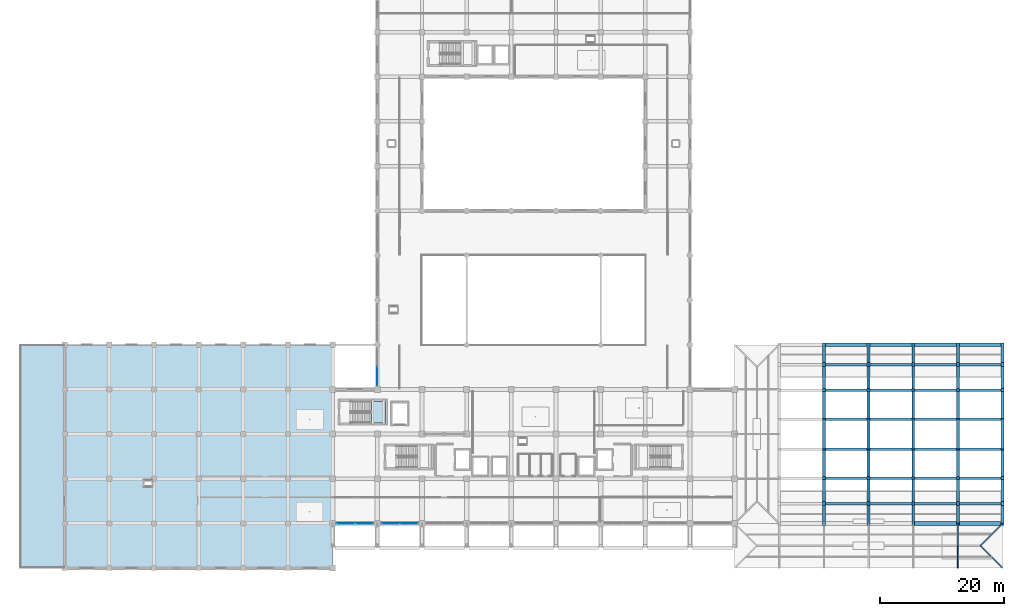
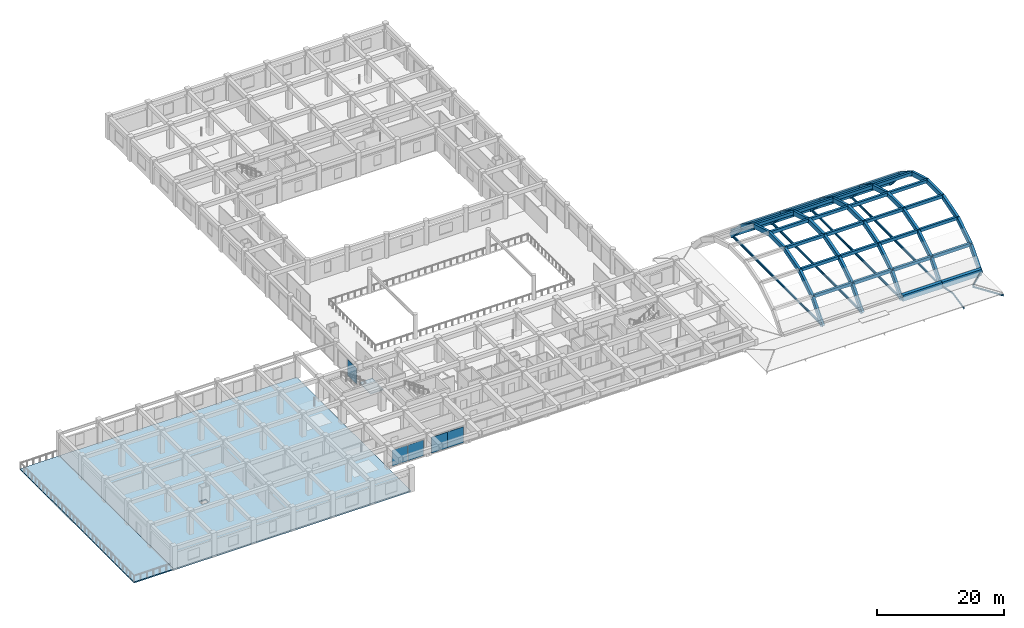
# One storey, part 29 of 54: 69 beams, 5 plates, 4 members, 3 slabs, 4 elements without a shape of their own.
"""IFC4 building model written with IfcOpenShell, lengths in metres."""

from ifc_helpers import new_model, si_unit, direction, frame, origin, origin_2d, place, context, subcontext, project, spatial, polyline, rectangle, i_section, outline, extrude, material, layer, layer_set, material_profile, profile_set, type_object, element, aggregate, save


model = new_model("IFC4")

# Units and contexts
model_context = context("Model", 3, precision=1e-05, world=origin(), true_north=direction((0.0, 1.0)))
body_context = subcontext(model_context, "Body", "Model", "MODEL_VIEW")
ifc_project = project(units=[si_unit("LENGTHUNIT", "METRE"), si_unit("AREAUNIT", "SQUARE_METRE"), si_unit("VOLUMEUNIT", "CUBIC_METRE"), si_unit("PLANEANGLEUNIT", "RADIAN"), si_unit("MASSUNIT", "GRAM", prefix="KILO")], contexts=[model_context])

# Site, building, storey
site_placement = place(None, origin())
site = spatial("IfcSite", under=ifc_project, at=site_placement, CompositionType="ELEMENT")
building_placement = place(site_placement, origin())
building = spatial("IfcBuilding", under=site, at=building_placement, Name="Kazehaya Institute of Natural Sciences", CompositionType="ELEMENT")
storey_placement = place(building_placement, frame((0.0, 0.0, 10.43994140625)))
storey = spatial("IfcBuildingStorey", under=building, at=storey_placement, Name="L02", CompositionType="ELEMENT", Elevation=10.43994140625)

# Beams
ifc_material_1 = material(Name="Concrete Fc36", Category="concrete")
ifc_material_profile_1 = material_profile(ifc_material_1, rectangle(XDim=0.449951171875, YDim=0.85009765625, at=origin_2d()), Name="RC-450x850")
ifc_profile_set_1 = profile_set([ifc_material_profile_1], Name="Concrete Fc36")
beam_type_1 = type_object("IfcBeamType", Name="BM-AR-450x850", PredefinedType="BEAM", material=ifc_profile_set_1)
beam_1_placement = place(storey_placement, frame((133.800048828125, 14.0, -0.429931640625), z_axis=(0.0, 0.659222645841, 0.751947806175), x_axis=(-1.0, 0.0, 0.0)))
element("IfcBeam", 1, at=beam_1_placement, inside=storey, type_object=beam_type_1, Name="SH-VOL1 transverse arch rib SH-VOL1-RIB-133-01", PredefinedType="BEAM", context=body_context, shape_type="SweptSolid", body=[
    extrude(rectangle(XDim=0.449951171875, YDim=0.85009765625, at=origin_2d()), origin(), (0.0, 0.0, 1.0), 4.8603515625),
])
for number, where, z_axis, x_axis, name in (
    (2, (133.800048828125, 17.2041015625, 3.224853515625), (0.0, 0.843309718495, 0.537427873014), (-1.0, 0.0, 0.0), "SH-VOL1 transverse arch rib SH-VOL1-RIB-133-03"),
    (3, (133.800048828125, 21.30322265625, 5.837158203125), (0.0, 0.960039368494, 0.279864986986), (-1.0, 0.0, 0.0), "SH-VOL1 transverse arch rib SH-VOL1-RIB-133-05"),
):
    element("IfcBeam", number, at=place(storey_placement, frame(where, z_axis=z_axis, x_axis=x_axis)), inside=storey, type_object=beam_type_1, Name=name, PredefinedType="BEAM", context=body_context, shape_type="SweptSolid", body=[
        extrude(rectangle(XDim=0.449951171875, YDim=0.85009765625, at=origin_2d()), origin(), (0.0, 0.0, 1.0), 4.86083984375),
    ])
for number, where, z_axis, x_axis, name in (
    (4, (133.800048828125, 25.9697265625, 7.197509765625), (0.0, 1.0, 0.0), (-1.0, 0.0, 0.0), "SH-VOL1 transverse arch rib SH-VOL1-RIB-133-07"),
    (5, (133.800048828125, 30.830322265625, 7.197509765625), (0.0, 0.960035434208, -0.279878482677), (-1.0, 0.0, 0.0), "SH-VOL1 transverse arch rib SH-VOL1-RIB-133-09"),
):
    element("IfcBeam", number, at=place(storey_placement, frame(where, z_axis=z_axis, x_axis=x_axis)), inside=storey, type_object=beam_type_1, Name=name, PredefinedType="BEAM", context=body_context, shape_type="SweptSolid", body=[
        extrude(rectangle(XDim=0.449951171875, YDim=0.85009765625, at=origin_2d()), origin(), (0.0, 0.0, 1.0), 4.860595703125),
    ])
beam_2_placement = place(storey_placement, frame((133.800048828125, 35.49658203125, 5.837158203125), z_axis=(0.0, 0.843309718495, -0.537427873014), x_axis=(-1.0, 0.0, 0.0)))
element("IfcBeam", 6, at=beam_2_placement, inside=storey, type_object=beam_type_1, Name="SH-VOL1 transverse arch rib SH-VOL1-RIB-133-11", PredefinedType="BEAM", context=body_context, shape_type="SweptSolid", body=[
    extrude(rectangle(XDim=0.449951171875, YDim=0.85009765625, at=origin_2d()), origin(), (0.0, 0.0, 1.0), 4.86083984375),
])
beam_3_placement = place(storey_placement, frame((133.800048828125, 39.595703125, 3.224853515625), z_axis=(0.0, 0.659251045931, -0.751922907245), x_axis=(-1.0, 0.0, 0.0)))
element("IfcBeam", 7, at=beam_3_placement, inside=storey, type_object=beam_type_1, Name="SH-VOL1 transverse arch rib SH-VOL1-RIB-133-13", PredefinedType="BEAM", context=body_context, shape_type="SweptSolid", body=[
    extrude(rectangle(XDim=0.449951171875, YDim=0.85009765625, at=origin_2d()), origin(), (0.0, 0.0, 1.0), 4.860595703125),
])
beam_4_placement = place(storey_placement, frame((141.0, 14.0, -0.429931640625), z_axis=(0.0, 0.659222645841, 0.751947806175), x_axis=(-1.0, 0.0, 0.0)))
element("IfcBeam", 8, at=beam_4_placement, inside=storey, type_object=beam_type_1, Name="SH-VOL1 transverse arch rib SH-VOL1-RIB-141-01", PredefinedType="BEAM", context=body_context, shape_type="SweptSolid", body=[
    extrude(rectangle(XDim=0.449951171875, YDim=0.85009765625, at=origin_2d()), origin(), (0.0, 0.0, 1.0), 4.8603515625),
])
for number, where, z_axis, x_axis, name in (
    (9, (141.0, 17.2041015625, 3.224853515625), (0.0, 0.843309718495, 0.537427873014), (-1.0, 0.0, 0.0), "SH-VOL1 transverse arch rib SH-VOL1-RIB-141-03"),
    (10, (141.0, 21.30322265625, 5.837158203125), (0.0, 0.960039368494, 0.279864986986), (-1.0, 0.0, 0.0), "SH-VOL1 transverse arch rib SH-VOL1-RIB-141-05"),
):
    element("IfcBeam", number, at=place(storey_placement, frame(where, z_axis=z_axis, x_axis=x_axis)), inside=storey, type_object=beam_type_1, Name=name, PredefinedType="BEAM", context=body_context, shape_type="SweptSolid", body=[
        extrude(rectangle(XDim=0.449951171875, YDim=0.85009765625, at=origin_2d()), origin(), (0.0, 0.0, 1.0), 4.86083984375),
    ])
for number, where, z_axis, x_axis, name in (
    (11, (141.0, 25.9697265625, 7.197509765625), (0.0, 1.0, 0.0), (-1.0, 0.0, 0.0), "SH-VOL1 transverse arch rib SH-VOL1-RIB-141-07"),
    (12, (141.0, 30.830322265625, 7.197509765625), (0.0, 0.960035434208, -0.279878482677), (-1.0, 0.0, 0.0), "SH-VOL1 transverse arch rib SH-VOL1-RIB-141-09"),
):
    element("IfcBeam", number, at=place(storey_placement, frame(where, z_axis=z_axis, x_axis=x_axis)), inside=storey, type_object=beam_type_1, Name=name, PredefinedType="BEAM", context=body_context, shape_type="SweptSolid", body=[
        extrude(rectangle(XDim=0.449951171875, YDim=0.85009765625, at=origin_2d()), origin(), (0.0, 0.0, 1.0), 4.860595703125),
    ])
beam_5_placement = place(storey_placement, frame((141.0, 35.49658203125, 5.837158203125), z_axis=(0.0, 0.843309718495, -0.537427873014), x_axis=(-1.0, 0.0, 0.0)))
element("IfcBeam", 13, at=beam_5_placement, inside=storey, type_object=beam_type_1, Name="SH-VOL1 transverse arch rib SH-VOL1-RIB-141-11", PredefinedType="BEAM", context=body_context, shape_type="SweptSolid", body=[
    extrude(rectangle(XDim=0.449951171875, YDim=0.85009765625, at=origin_2d()), origin(), (0.0, 0.0, 1.0), 4.86083984375),
])
beam_6_placement = place(storey_placement, frame((141.0, 39.595703125, 3.224853515625), z_axis=(0.0, 0.659251045931, -0.751922907245), x_axis=(-1.0, 0.0, 0.0)))
element("IfcBeam", 14, at=beam_6_placement, inside=storey, type_object=beam_type_1, Name="SH-VOL1 transverse arch rib SH-VOL1-RIB-141-13", PredefinedType="BEAM", context=body_context, shape_type="SweptSolid", body=[
    extrude(rectangle(XDim=0.449951171875, YDim=0.85009765625, at=origin_2d()), origin(), (0.0, 0.0, 1.0), 4.860595703125),
])
beam_7_placement = place(storey_placement, frame((148.199951171875, 14.0, -0.429931640625), z_axis=(0.0, 0.659222645841, 0.751947806175), x_axis=(-1.0, 0.0, 0.0)))
element("IfcBeam", 15, at=beam_7_placement, inside=storey, type_object=beam_type_1, Name="SH-VOL1 transverse arch rib SH-VOL1-RIB-148-01", PredefinedType="BEAM", context=body_context, shape_type="SweptSolid", body=[
    extrude(rectangle(XDim=0.449951171875, YDim=0.85009765625, at=origin_2d()), origin(), (0.0, 0.0, 1.0), 4.8603515625),
])
for number, where, z_axis, x_axis, name in (
    (16, (148.199951171875, 17.2041015625, 3.224853515625), (0.0, 0.843309718495, 0.537427873014), (-1.0, 0.0, 0.0), "SH-VOL1 transverse arch rib SH-VOL1-RIB-148-03"),
    (17, (148.199951171875, 21.30322265625, 5.837158203125), (0.0, 0.960039368494, 0.279864986986), (-1.0, 0.0, 0.0), "SH-VOL1 transverse arch rib SH-VOL1-RIB-148-05"),
):
    element("IfcBeam", number, at=place(storey_placement, frame(where, z_axis=z_axis, x_axis=x_axis)), inside=storey, type_object=beam_type_1, Name=name, PredefinedType="BEAM", context=body_context, shape_type="SweptSolid", body=[
        extrude(rectangle(XDim=0.449951171875, YDim=0.85009765625, at=origin_2d()), origin(), (0.0, 0.0, 1.0), 4.86083984375),
    ])
for number, where, z_axis, x_axis, name in (
    (18, (148.199951171875, 25.9697265625, 7.197509765625), (0.0, 1.0, 0.0), (-1.0, 0.0, 0.0), "SH-VOL1 transverse arch rib SH-VOL1-RIB-148-07"),
    (19, (148.199951171875, 30.830322265625, 7.197509765625), (0.0, 0.960035434208, -0.279878482677), (-1.0, 0.0, 0.0), "SH-VOL1 transverse arch rib SH-VOL1-RIB-148-09"),
):
    element("IfcBeam", number, at=place(storey_placement, frame(where, z_axis=z_axis, x_axis=x_axis)), inside=storey, type_object=beam_type_1, Name=name, PredefinedType="BEAM", context=body_context, shape_type="SweptSolid", body=[
        extrude(rectangle(XDim=0.449951171875, YDim=0.85009765625, at=origin_2d()), origin(), (0.0, 0.0, 1.0), 4.860595703125),
    ])
beam_8_placement = place(storey_placement, frame((148.199951171875, 35.49658203125, 5.837158203125), z_axis=(0.0, 0.843309718495, -0.537427873014), x_axis=(-1.0, 0.0, 0.0)))
element("IfcBeam", 20, at=beam_8_placement, inside=storey, type_object=beam_type_1, Name="SH-VOL1 transverse arch rib SH-VOL1-RIB-148-11", PredefinedType="BEAM", context=body_context, shape_type="SweptSolid", body=[
    extrude(rectangle(XDim=0.449951171875, YDim=0.85009765625, at=origin_2d()), origin(), (0.0, 0.0, 1.0), 4.86083984375),
])
beam_9_placement = place(storey_placement, frame((148.199951171875, 39.595703125, 3.224853515625), z_axis=(0.0, 0.659251045931, -0.751922907245), x_axis=(-1.0, 0.0, 0.0)))
element("IfcBeam", 21, at=beam_9_placement, inside=storey, type_object=beam_type_1, Name="SH-VOL1 transverse arch rib SH-VOL1-RIB-148-13", PredefinedType="BEAM", context=body_context, shape_type="SweptSolid", body=[
    extrude(rectangle(XDim=0.449951171875, YDim=0.85009765625, at=origin_2d()), origin(), (0.0, 0.0, 1.0), 4.860595703125),
])
beam_10_placement = place(storey_placement, frame((155.39990234375, 14.0, -0.429931640625), z_axis=(0.0, 0.659222645841, 0.751947806175), x_axis=(-1.0, 0.0, 0.0)))
element("IfcBeam", 22, at=beam_10_placement, inside=storey, type_object=beam_type_1, Name="SH-VOL1 transverse arch rib SH-VOL1-RIB-155-01", PredefinedType="BEAM", context=body_context, shape_type="SweptSolid", body=[
    extrude(rectangle(XDim=0.449951171875, YDim=0.85009765625, at=origin_2d()), origin(), (0.0, 0.0, 1.0), 4.8603515625),
])
for number, where, z_axis, x_axis, name in (
    (23, (155.39990234375, 17.2041015625, 3.224853515625), (0.0, 0.843309718495, 0.537427873014), (-1.0, 0.0, 0.0), "SH-VOL1 transverse arch rib SH-VOL1-RIB-155-03"),
    (24, (155.39990234375, 21.30322265625, 5.837158203125), (0.0, 0.960039368494, 0.279864986986), (-1.0, 0.0, 0.0), "SH-VOL1 transverse arch rib SH-VOL1-RIB-155-05"),
):
    element("IfcBeam", number, at=place(storey_placement, frame(where, z_axis=z_axis, x_axis=x_axis)), inside=storey, type_object=beam_type_1, Name=name, PredefinedType="BEAM", context=body_context, shape_type="SweptSolid", body=[
        extrude(rectangle(XDim=0.449951171875, YDim=0.85009765625, at=origin_2d()), origin(), (0.0, 0.0, 1.0), 4.86083984375),
    ])
for number, where, z_axis, x_axis, name in (
    (25, (155.39990234375, 25.9697265625, 7.197509765625), (0.0, 1.0, 0.0), (-1.0, 0.0, 0.0), "SH-VOL1 transverse arch rib SH-VOL1-RIB-155-07"),
    (26, (155.39990234375, 30.830322265625, 7.197509765625), (0.0, 0.960035434208, -0.279878482677), (-1.0, 0.0, 0.0), "SH-VOL1 transverse arch rib SH-VOL1-RIB-155-09"),
):
    element("IfcBeam", number, at=place(storey_placement, frame(where, z_axis=z_axis, x_axis=x_axis)), inside=storey, type_object=beam_type_1, Name=name, PredefinedType="BEAM", context=body_context, shape_type="SweptSolid", body=[
        extrude(rectangle(XDim=0.449951171875, YDim=0.85009765625, at=origin_2d()), origin(), (0.0, 0.0, 1.0), 4.860595703125),
    ])
beam_11_placement = place(storey_placement, frame((155.39990234375, 35.49658203125, 5.837158203125), z_axis=(0.0, 0.843309718495, -0.537427873014), x_axis=(-1.0, 0.0, 0.0)))
element("IfcBeam", 27, at=beam_11_placement, inside=storey, type_object=beam_type_1, Name="SH-VOL1 transverse arch rib SH-VOL1-RIB-155-11", PredefinedType="BEAM", context=body_context, shape_type="SweptSolid", body=[
    extrude(rectangle(XDim=0.449951171875, YDim=0.85009765625, at=origin_2d()), origin(), (0.0, 0.0, 1.0), 4.86083984375),
])
beam_12_placement = place(storey_placement, frame((155.39990234375, 39.595703125, 3.224853515625), z_axis=(0.0, 0.659251045931, -0.751922907245), x_axis=(-1.0, 0.0, 0.0)))
element("IfcBeam", 28, at=beam_12_placement, inside=storey, type_object=beam_type_1, Name="SH-VOL1 transverse arch rib SH-VOL1-RIB-155-13", PredefinedType="BEAM", context=body_context, shape_type="SweptSolid", body=[
    extrude(rectangle(XDim=0.449951171875, YDim=0.85009765625, at=origin_2d()), origin(), (0.0, 0.0, 1.0), 4.860595703125),
])
beam_13_placement = place(storey_placement, frame((162.60009765625, 14.0, -0.429931640625), z_axis=(0.0, 0.659222645841, 0.751947806175), x_axis=(-1.0, 0.0, 0.0)))
element("IfcBeam", 29, at=beam_13_placement, inside=storey, type_object=beam_type_1, Name="SH-VOL1 transverse arch rib SH-VOL1-RIB-162-01", PredefinedType="BEAM", context=body_context, shape_type="SweptSolid", body=[
    extrude(rectangle(XDim=0.449951171875, YDim=0.85009765625, at=origin_2d()), origin(), (0.0, 0.0, 1.0), 4.8603515625),
])
for number, where, z_axis, x_axis, name in (
    (30, (162.60009765625, 17.2041015625, 3.224853515625), (0.0, 0.843309718495, 0.537427873014), (-1.0, 0.0, 0.0), "SH-VOL1 transverse arch rib SH-VOL1-RIB-162-03"),
    (31, (162.60009765625, 21.30322265625, 5.837158203125), (0.0, 0.960039368494, 0.279864986986), (-1.0, 0.0, 0.0), "SH-VOL1 transverse arch rib SH-VOL1-RIB-162-05"),
):
    element("IfcBeam", number, at=place(storey_placement, frame(where, z_axis=z_axis, x_axis=x_axis)), inside=storey, type_object=beam_type_1, Name=name, PredefinedType="BEAM", context=body_context, shape_type="SweptSolid", body=[
        extrude(rectangle(XDim=0.449951171875, YDim=0.85009765625, at=origin_2d()), origin(), (0.0, 0.0, 1.0), 4.86083984375),
    ])
for number, where, z_axis, x_axis, name in (
    (32, (162.60009765625, 25.9697265625, 7.197509765625), (0.0, 1.0, 0.0), (-1.0, 0.0, 0.0), "SH-VOL1 transverse arch rib SH-VOL1-RIB-162-07"),
    (33, (162.60009765625, 30.830322265625, 7.197509765625), (0.0, 0.960035434208, -0.279878482677), (-1.0, 0.0, 0.0), "SH-VOL1 transverse arch rib SH-VOL1-RIB-162-09"),
):
    element("IfcBeam", number, at=place(storey_placement, frame(where, z_axis=z_axis, x_axis=x_axis)), inside=storey, type_object=beam_type_1, Name=name, PredefinedType="BEAM", context=body_context, shape_type="SweptSolid", body=[
        extrude(rectangle(XDim=0.449951171875, YDim=0.85009765625, at=origin_2d()), origin(), (0.0, 0.0, 1.0), 4.860595703125),
    ])
beam_14_placement = place(storey_placement, frame((162.60009765625, 35.49658203125, 5.837158203125), z_axis=(0.0, 0.843309718495, -0.537427873014), x_axis=(-1.0, 0.0, 0.0)))
element("IfcBeam", 34, at=beam_14_placement, inside=storey, type_object=beam_type_1, Name="SH-VOL1 transverse arch rib SH-VOL1-RIB-162-11", PredefinedType="BEAM", context=body_context, shape_type="SweptSolid", body=[
    extrude(rectangle(XDim=0.449951171875, YDim=0.85009765625, at=origin_2d()), origin(), (0.0, 0.0, 1.0), 4.86083984375),
])
beam_15_placement = place(storey_placement, frame((162.60009765625, 39.595703125, 3.224853515625), z_axis=(0.0, 0.659251045931, -0.751922907245), x_axis=(-1.0, 0.0, 0.0)))
element("IfcBeam", 35, at=beam_15_placement, inside=storey, type_object=beam_type_1, Name="SH-VOL1 transverse arch rib SH-VOL1-RIB-162-13", PredefinedType="BEAM", context=body_context, shape_type="SweptSolid", body=[
    extrude(rectangle(XDim=0.449951171875, YDim=0.85009765625, at=origin_2d()), origin(), (0.0, 0.0, 1.0), 4.860595703125),
])
ifc_material_profile_2 = material_profile(ifc_material_1, rectangle(XDim=0.39990234375, YDim=0.60009765625, at=origin_2d()), Name="RC-400x600")
ifc_profile_set_2 = profile_set([ifc_material_profile_2], Name="Concrete Fc36")
beam_type_2 = type_object("IfcBeamType", Name="BM-B-400x600", PredefinedType="BEAM", material=ifc_profile_set_2)
for number, where, z_axis, x_axis, name in (
    (36, (133.800048828125, 17.2041015625, 3.344970703125), (1.0, 0.0, 0.0), (0.0, 1.0, 0.0), "SH-VOL1 longitudinal shell rib 2"),
    (37, (133.800048828125, 21.30322265625, 5.95703125), (1.0, 0.0, 0.0), (0.0, 1.0, 0.0), "SH-VOL1 longitudinal shell rib 4"),
    (38, (133.800048828125, 25.9697265625, 7.3173828125), (1.0, 0.0, 0.0), (0.0, 1.0, 0.0), "SH-VOL1 longitudinal shell rib 6"),
    (39, (133.800048828125, 30.830322265625, 7.3173828125), (1.0, 0.0, 0.0), (0.0, 1.0, 0.0), "SH-VOL1 longitudinal shell rib 8"),
    (40, (133.800048828125, 35.49658203125, 5.95703125), (1.0, 0.0, 0.0), (0.0, 1.0, 0.0), "SH-VOL1 longitudinal shell rib 10"),
    (41, (133.800048828125, 39.595703125, 3.344970703125), (1.0, 0.0, 0.0), (0.0, 1.0, 0.0), "SH-VOL1 longitudinal shell rib 12"),
    (42, (141.0, 17.2041015625, 3.344970703125), (1.0, 0.0, 0.0), (0.0, 1.0, 0.0), "SH-VOL1 longitudinal shell rib 2"),
    (43, (141.0, 21.30322265625, 5.95703125), (1.0, 0.0, 0.0), (0.0, 1.0, 0.0), "SH-VOL1 longitudinal shell rib 4"),
    (44, (141.0, 25.9697265625, 7.3173828125), (1.0, 0.0, 0.0), (0.0, 1.0, 0.0), "SH-VOL1 longitudinal shell rib 6"),
    (45, (141.0, 30.830322265625, 7.3173828125), (1.0, 0.0, 0.0), (0.0, 1.0, 0.0), "SH-VOL1 longitudinal shell rib 8"),
    (46, (141.0, 35.49658203125, 5.95703125), (1.0, 0.0, 0.0), (0.0, 1.0, 0.0), "SH-VOL1 longitudinal shell rib 10"),
    (47, (141.0, 39.595703125, 3.344970703125), (1.0, 0.0, 0.0), (0.0, 1.0, 0.0), "SH-VOL1 longitudinal shell rib 12"),
    (48, (148.199951171875, 17.2041015625, 3.344970703125), (1.0, 0.0, 0.0), (0.0, 1.0, 0.0), "SH-VOL1 longitudinal shell rib 2"),
    (49, (148.199951171875, 21.30322265625, 5.95703125), (1.0, 0.0, 0.0), (0.0, 1.0, 0.0), "SH-VOL1 longitudinal shell rib 4"),
    (50, (148.199951171875, 25.9697265625, 7.3173828125), (1.0, 0.0, 0.0), (0.0, 1.0, 0.0), "SH-VOL1 longitudinal shell rib 6"),
    (51, (148.199951171875, 30.830322265625, 7.3173828125), (1.0, 0.0, 0.0), (0.0, 1.0, 0.0), "SH-VOL1 longitudinal shell rib 8"),
    (52, (148.199951171875, 35.49658203125, 5.95703125), (1.0, 0.0, 0.0), (0.0, 1.0, 0.0), "SH-VOL1 longitudinal shell rib 10"),
    (53, (148.199951171875, 39.595703125, 3.344970703125), (1.0, 0.0, 0.0), (0.0, 1.0, 0.0), "SH-VOL1 longitudinal shell rib 12"),
):
    element("IfcBeam", number, at=place(storey_placement, frame(where, z_axis=z_axis, x_axis=x_axis)), inside=storey, type_object=beam_type_2, Name=name, PredefinedType="BEAM", context=body_context, shape_type="SweptSolid", body=[
        extrude(rectangle(XDim=0.39990234375, YDim=0.60009765625, at=origin_2d()), origin(), (0.0, 0.0, 1.0), 7.199951171875),
    ])
for number, where, z_axis, x_axis, name in (
    (54, (155.39990234375, 17.2041015625, 3.344970703125), (1.0, 0.0, 0.0), (0.0, 1.0, 0.0), "SH-VOL1 longitudinal shell rib 2"),
    (55, (155.39990234375, 21.30322265625, 5.95703125), (1.0, 0.0, 0.0), (0.0, 1.0, 0.0), "SH-VOL1 longitudinal shell rib 4"),
    (56, (155.39990234375, 25.9697265625, 7.3173828125), (1.0, 0.0, 0.0), (0.0, 1.0, 0.0), "SH-VOL1 longitudinal shell rib 6"),
    (57, (155.39990234375, 30.830322265625, 7.3173828125), (1.0, 0.0, 0.0), (0.0, 1.0, 0.0), "SH-VOL1 longitudinal shell rib 8"),
    (58, (155.39990234375, 35.49658203125, 5.95703125), (1.0, 0.0, 0.0), (0.0, 1.0, 0.0), "SH-VOL1 longitudinal shell rib 10"),
    (59, (155.39990234375, 39.595703125, 3.344970703125), (1.0, 0.0, 0.0), (0.0, 1.0, 0.0), "SH-VOL1 longitudinal shell rib 12"),
):
    element("IfcBeam", number, at=place(storey_placement, frame(where, z_axis=z_axis, x_axis=x_axis)), inside=storey, type_object=beam_type_2, Name=name, PredefinedType="BEAM", context=body_context, shape_type="SweptSolid", body=[
        extrude(rectangle(XDim=0.39990234375, YDim=0.60009765625, at=origin_2d()), origin(), (0.0, 0.0, 1.0), 7.2001953125),
    ])
ifc_material_profile_3 = material_profile(ifc_material_1, rectangle(XDim=0.60009765625, YDim=1.199951171875, at=origin_2d()), Name="RC-600x1200")
ifc_profile_set_3 = profile_set([ifc_material_profile_3], Name="Concrete Fc36")
beam_type_3 = type_object("IfcBeamType", Name="BM-EB-600x1200", PredefinedType="BEAM", material=ifc_profile_set_3)
for number, where, z_axis, x_axis, name in (
    (60, (133.800048828125, 42.800048828125, 0.0), (1.0, 0.0, 0.0), (0.0, 1.0, 0.0), "SH-VOL1 centroidal shell edge beam SH-VOL1-EB-N-2223"),
    (61, (141.0, 42.800048828125, 0.0), (1.0, 0.0, 0.0), (0.0, 1.0, 0.0), "SH-VOL1 centroidal shell edge beam SH-VOL1-EB-N-2231"),
    (62, (148.199951171875, 14.0, 0.0), (1.0, 0.0, 0.0), (0.0, 1.0, 0.0), "SH-VOL1 centroidal shell edge beam SH-VOL1-EB-S-2238"),
    (63, (148.199951171875, 42.800048828125, 0.0), (1.0, 0.0, 0.0), (0.0, 1.0, 0.0), "SH-VOL1 centroidal shell edge beam SH-VOL1-EB-N-2239"),
):
    element("IfcBeam", number, at=place(storey_placement, frame(where, z_axis=z_axis, x_axis=x_axis)), inside=storey, type_object=beam_type_3, Name=name, PredefinedType="BEAM", context=body_context, shape_type="SweptSolid", body=[
        extrude(rectangle(XDim=0.60009765625, YDim=1.199951171875, at=origin_2d()), origin(), (0.0, 0.0, 1.0), 7.199951171875),
    ])
for number, where, z_axis, x_axis, name in (
    (64, (155.39990234375, 14.0, 0.0), (1.0, 0.0, 0.0), (0.0, 1.0, 0.0), "SH-VOL1 centroidal shell edge beam SH-VOL1-EB-S-2246"),
    (65, (155.39990234375, 42.800048828125, 0.0), (1.0, 0.0, 0.0), (0.0, 1.0, 0.0), "SH-VOL1 centroidal shell edge beam SH-VOL1-EB-N-2247"),
):
    element("IfcBeam", number, at=place(storey_placement, frame(where, z_axis=z_axis, x_axis=x_axis)), inside=storey, type_object=beam_type_3, Name=name, PredefinedType="BEAM", context=body_context, shape_type="SweptSolid", body=[
        extrude(rectangle(XDim=0.60009765625, YDim=1.199951171875, at=origin_2d()), origin(), (0.0, 0.0, 1.0), 7.2001953125),
    ])
ifc_material_2 = material(Name="Structural steel SN490B", Category="steel")
ifc_material_profile_4 = material_profile(ifc_material_2, i_section(OverallWidth=0.199951171875, OverallDepth=0.449951171875, WebThickness=0.009033203125, FlangeThickness=0.013916015625, FilletRadius=0.01611328125, at=origin_2d()), Name="H-450x200x9x14")
ifc_profile_set_4 = profile_set([ifc_material_profile_4], Name="Structural steel SN490B")
beam_type_4 = type_object("IfcBeamType", Name="BM-STL-H450", PredefinedType="BEAM", material=ifc_profile_set_4)
for number, where, z_axis, x_axis, name in (
    (66, (133.800048828125, 14.0, -0.349853515625), (0.0, 1.0, 0.0), (-1.0, 0.0, 0.0), "SH-VOL1 arch springing tie beam at X=133.8m"),
    (67, (141.0, 14.0, -0.349853515625), (0.0, 1.0, 0.0), (-1.0, 0.0, 0.0), "SH-VOL1 arch springing tie beam at X=141.0m"),
    (68, (148.199951171875, 14.0, -0.349853515625), (0.0, 1.0, 0.0), (-1.0, 0.0, 0.0), "SH-VOL1 arch springing tie beam at X=148.2m"),
    (69, (155.39990234375, 14.0, -0.349853515625), (0.0, 1.0, 0.0), (-1.0, 0.0, 0.0), "SH-VOL1 arch springing tie beam at X=155.4m"),
):
    element("IfcBeam", number, at=place(storey_placement, frame(where, z_axis=z_axis, x_axis=x_axis)), inside=storey, type_object=beam_type_4, Name=name, PredefinedType="BEAM", context=body_context, shape_type="SweptSolid", body=[
        extrude(i_section(OverallWidth=0.199951171875, OverallDepth=0.449951171875, WebThickness=0.009033203125, FlangeThickness=0.013916015625, FilletRadius=0.01611328125, at=origin_2d()), origin(), (0.0, 0.0, 1.0), 28.800048828125),
    ])

# Members
ifc_material_profile_5 = material_profile(ifc_material_2, i_section(OverallWidth=0.14990234375, OverallDepth=0.300048828125, WebThickness=0.006591796875, FlangeThickness=0.009033203125, FilletRadius=0.012939453125, at=origin_2d()), Name="H-300x150x6.5x9")
ifc_profile_set_5 = profile_set([ifc_material_profile_5], Name="Structural steel SN490B")
member_type = type_object("IfcMemberType", Name="MEM-RAF-H300", PredefinedType="RAFTER", material=ifc_profile_set_5)
member_1_placement = place(storey_placement, frame((162.60009765625, 6.800048828125, -0.25), z_axis=(-0.699218488609, 0.699171071107, 0.14917546217), x_axis=(-0.707082803744, -0.707130757816, 0.0)))
element("IfcMember", 70, at=member_1_placement, inside=storey, type_object=member_type, Name="ROOF-VOL1-FOYER corner hip rafter SE", PredefinedType="RAFTER", context=body_context, shape_type="SweptSolid", body=[
    extrude(i_section(OverallWidth=0.14990234375, OverallDepth=0.300048828125, WebThickness=0.006591796875, FlangeThickness=0.009033203125, FilletRadius=0.012939453125, at=origin_2d()), origin(), (0.0, 0.0, 1.0), 5.148681640625),
])
member_2_placement = place(storey_placement, frame((162.60009765625, 14.0, -0.25), z_axis=(-0.699195307823, -0.699195307823, 0.149170516643), x_axis=(0.707106781187, -0.707106781187, 0.0)))
element("IfcMember", 71, at=member_2_placement, inside=storey, type_object=member_type, Name="ROOF-VOL1-FOYER corner hip rafter NE", PredefinedType="RAFTER", context=body_context, shape_type="SweptSolid", body=[
    extrude(i_section(OverallWidth=0.14990234375, OverallDepth=0.300048828125, WebThickness=0.006591796875, FlangeThickness=0.009033203125, FilletRadius=0.012939453125, at=origin_2d()), origin(), (0.0, 0.0, 1.0), 5.14892578125),
])
member_3_placement = place(storey_placement, frame((155.39990234375, 6.800048828125, -0.25), z_axis=(0.0, 0.97798742259, 0.208663847505), x_axis=(-1.0, 0.0, 0.0)))
element("IfcMember", 72, at=member_3_placement, inside=storey, type_object=member_type, Name="ROOF-VOL1-FOYER roof truss rafter 25", PredefinedType="RAFTER", context=body_context, shape_type="SweptSolid", body=[
    extrude(i_section(OverallWidth=0.14990234375, OverallDepth=0.300048828125, WebThickness=0.006591796875, FlangeThickness=0.009033203125, FilletRadius=0.012939453125, at=origin_2d()), origin(), (0.0, 0.0, 1.0), 3.680908203125),
])
member_4_placement = place(storey_placement, frame((155.39990234375, 14.0, -0.25), z_axis=(0.0, -0.977990310214, 0.20865031303), x_axis=(1.0, 0.0, 0.0)))
element("IfcMember", 73, at=member_4_placement, inside=storey, type_object=member_type, Name="ROOF-VOL1-FOYER roof truss rafter 26", PredefinedType="RAFTER", context=body_context, shape_type="SweptSolid", body=[
    extrude(i_section(OverallWidth=0.14990234375, OverallDepth=0.300048828125, WebThickness=0.006591796875, FlangeThickness=0.009033203125, FilletRadius=0.012939453125, at=origin_2d()), origin(), (0.0, 0.0, 1.0), 3.68115234375),
])

# Curtain wall, plates
ifc_material_3 = material(Name="Aluminium alloy A6063S-T5", Category="aluminium")
curtain_wall_type = type_object("IfcCurtainWallType", Name="CW-SYS-03", PredefinedType="NOTDEFINED", material=ifc_material_3)
curtain_wall_1_placement = place(storey_placement, origin())
curtain_wall_1 = element("IfcCurtainWall", 74, at=curtain_wall_1_placement, inside=storey, type_object=curtain_wall_type, Name="L02 unitised curtain wall CW-L02-056", PredefinedType="NOTDEFINED")
ifc_material_4 = material(Name="Low-E double-glazed vision glass", Category="glass")
ifc_layer_1 = layer(ifc_material_4, 0.030029296875, Name="Low-E double-glazed vision glass", Category="glass")
ifc_layer_set_1 = layer_set([ifc_layer_1], Name="Low-E double-glazed vision glass")
plate_type_1 = type_object("IfcPlateType", Name="CWP-01", PredefinedType="CURTAIN_PANEL", material=ifc_layer_set_1)
plate_1_placement = place(storey_placement, frame((59.6650390625, 14.0, 0.06005859375), z_axis=(0.0, 0.0, 1.0), x_axis=(-1.0, 0.0, 0.0)))
plate_1 = element("IfcPlate", 75, at=plate_1_placement, type_object=plate_type_1, Name="CW03 panel 1.1", PredefinedType="CURTAIN_PANEL", context=body_context, shape_type="SweptSolid", body=[
    extrude(rectangle(XDim=2.8701171875, YDim=0.030029296875, at=origin_2d()), origin(), (0.0, 0.0, 1.0), 3.06005859375),
])
plate_2_placement = place(storey_placement, frame((56.735107421875, 14.0, 0.06005859375), z_axis=(0.0, 0.0, 1.0), x_axis=(-1.0, 0.0, 0.0)))
plate_2 = element("IfcPlate", 76, at=plate_2_placement, type_object=plate_type_1, Name="CW03 panel 2.1", PredefinedType="CURTAIN_PANEL", context=body_context, shape_type="SweptSolid", body=[
    extrude(rectangle(XDim=2.8701171875, YDim=0.030029296875, at=origin_2d()), origin(), (0.0, 0.0, 1.0), 3.06005859375),
])
aggregate(curtain_wall_1, [plate_1, plate_2])

# Curtain wall, plate
curtain_wall_2_placement = place(storey_placement, origin())
curtain_wall_2 = element("IfcCurtainWall", 77, at=curtain_wall_2_placement, inside=storey, type_object=curtain_wall_type, Name="L02 unitised curtain wall CW-L02-023", PredefinedType="NOTDEFINED")
ifc_layer_2 = layer(ifc_material_4, 0.050048828125, Name="Low-E double-glazed vision glass", Category="glass")
ifc_layer_set_2 = layer_set([ifc_layer_2], Name="Low-E double-glazed vision glass")
plate_type_2 = type_object("IfcPlateType", Name="CWP-03", PredefinedType="CURTAIN_PANEL", material=ifc_layer_set_2)
plate_3_placement = place(storey_placement, frame((61.800048828125, 37.735107421875, 0.06005859375), z_axis=(0.0, 0.0, 1.0), x_axis=(0.0, 1.0, 0.0)))
plate_3 = element("IfcPlate", 78, at=plate_3_placement, type_object=plate_type_2, Name="CW03 panel 1.1", PredefinedType="CURTAIN_PANEL", context=body_context, shape_type="SweptSolid", body=[
    extrude(rectangle(XDim=2.8701171875, YDim=0.050048828125, at=origin_2d()), origin(), (0.0, 0.0, 1.0), 3.06005859375),
])
aggregate(curtain_wall_2, [plate_3])

# Curtain wall, plates
curtain_wall_3_placement = place(storey_placement, origin())
curtain_wall_3 = element("IfcCurtainWall", 79, at=curtain_wall_3_placement, inside=storey, type_object=curtain_wall_type, Name="L02 unitised curtain wall CW-L02-055", PredefinedType="NOTDEFINED")
ifc_material_5 = material(Name="Insulated bronze aluminium spandrel panel", Category="aluminium")
ifc_layer_3 = layer(ifc_material_5, 0.10009765625, Name="Insulated bronze aluminium spandrel panel", Category="aluminium")
ifc_layer_set_3 = layer_set([ifc_layer_3], Name="Insulated bronze aluminium spandrel panel")
plate_type_3 = type_object("IfcPlateType", Name="CWP-08", PredefinedType="CURTAIN_PANEL", material=ifc_layer_set_3)
plate_4_placement = place(storey_placement, frame((66.864990234375, 14.0, 0.06005859375), z_axis=(0.0, 0.0, 1.0), x_axis=(-1.0, 0.0, 0.0)))
plate_4 = element("IfcPlate", 80, at=plate_4_placement, type_object=plate_type_3, Name="CW03 panel 1.1", PredefinedType="CURTAIN_PANEL", context=body_context, shape_type="SweptSolid", body=[
    extrude(rectangle(XDim=2.8701171875, YDim=0.10009765625, at=origin_2d()), origin(), (0.0, 0.0, 1.0), 3.06005859375),
])
plate_5_placement = place(storey_placement, frame((63.93505859375, 14.0, 0.06005859375), z_axis=(0.0, 0.0, 1.0), x_axis=(-1.0, 0.0, 0.0)))
plate_5 = element("IfcPlate", 81, at=plate_5_placement, type_object=plate_type_3, Name="CW03 panel 2.1", PredefinedType="CURTAIN_PANEL", context=body_context, shape_type="SweptSolid", body=[
    extrude(rectangle(XDim=2.8701171875, YDim=0.10009765625, at=origin_2d()), origin(), (0.0, 0.0, 1.0), 3.06005859375),
])
aggregate(curtain_wall_3, [plate_4, plate_5])

# Slab
ifc_layer_4 = layer(ifc_material_1, 0.27001953125, Name="Concrete Fc36", Category="concrete")
ifc_layer_set_4 = layer_set([ifc_layer_4], Name="Concrete Fc36")
slab_type_1 = type_object("IfcSlabType", Name="SL-FLR-270", PredefinedType="FLOOR", material=ifc_layer_set_4)
slab_1_placement = place(storey_placement, frame((0.0, 0.0, -0.27001953125)))
element("IfcSlab", 82, at=slab_1_placement, inside=storey, type_object=slab_type_1, Name="L02 structural slab L02-VOL3", PredefinedType="FLOOR", context=body_context, shape_type="SweptSolid", body=[
    extrude(outline(polyline([(11.39990234375, 6.800048828125), (54.60009765625, 6.800048828125), (54.60009765625, 42.800048828125), (11.39990234375, 42.800048828125), (11.39990234375, 6.800048828125)]), holes=[polyline([(24.199951171875, 20.0), (25.39990234375, 20.0), (25.39990234375, 20.89990234375), (24.199951171875, 20.89990234375), (24.199951171875, 20.0)])]), origin(), (0.0, 0.0, 1.0), 0.27001953125),
])

# Stair, slab
stair_type = type_object("IfcStairType", Name="STR-DOG-4680", PredefinedType="HALF_TURN_STAIR", material=ifc_material_1)
stair_placement = place(storey_placement, origin())
stair = element("IfcStair", 83, at=stair_placement, inside=storey, type_object=stair_type, Name="L02 Protected Escape Stair ST-4", PredefinedType="HALF_TURN_STAIR")
ifc_layer_5 = layer(ifc_material_1, 0.159912109375, Name="Concrete Fc36", Category="concrete")
ifc_layer_set_5 = layer_set([ifc_layer_5], Name="Concrete Fc36")
slab_type_2 = type_object("IfcSlabType", Name="SL-LND-160", PredefinedType="LANDING", material=ifc_layer_set_5)
slab_2_placement = place(storey_placement, frame((0.0, 0.0, 2.14013671875)))
slab_2 = element("IfcSlab", 84, at=slab_2_placement, type_object=slab_type_2, Name="ST-4 landing 1", PredefinedType="LANDING", context=body_context, shape_type="SweptSolid", body=[
    extrude(outline(polyline([(60.820068359375, 30.199951171875), (63.10009765625, 30.199951171875), (63.10009765625, 33.679931640625), (60.820068359375, 33.679931640625), (60.820068359375, 30.199951171875)])), origin(), (0.0, 0.0, 1.0), 0.199951171875),
])
aggregate(stair, [slab_2])

# Slab
ifc_layer_6 = layer(ifc_material_1, 0.219970703125, Name="Concrete Fc36", Category="concrete")
ifc_layer_set_6 = layer_set([ifc_layer_6], Name="Concrete Fc36")
slab_type_3 = type_object("IfcSlabType", Name="SL-TER-220", PredefinedType="FLOOR", material=ifc_layer_set_6)
slab_3_placement = place(storey_placement, frame((0.0, 0.0, -0.219970703125)))
element("IfcSlab", 85, at=slab_3_placement, inside=storey, type_object=slab_type_3, Name="L02 outdoor terrace slab EXT-L02-COLW", PredefinedType="FLOOR", context=body_context, shape_type="SweptSolid", body=[
    extrude(outline(polyline([(4.199951171875, 6.800048828125), (11.39990234375, 6.800048828125), (11.39990234375, 42.800048828125), (4.199951171875, 42.800048828125), (4.199951171875, 6.800048828125)])), origin(), (0.0, 0.0, 1.0), 0.219970703125),
])

save(model, "model.ifc")
